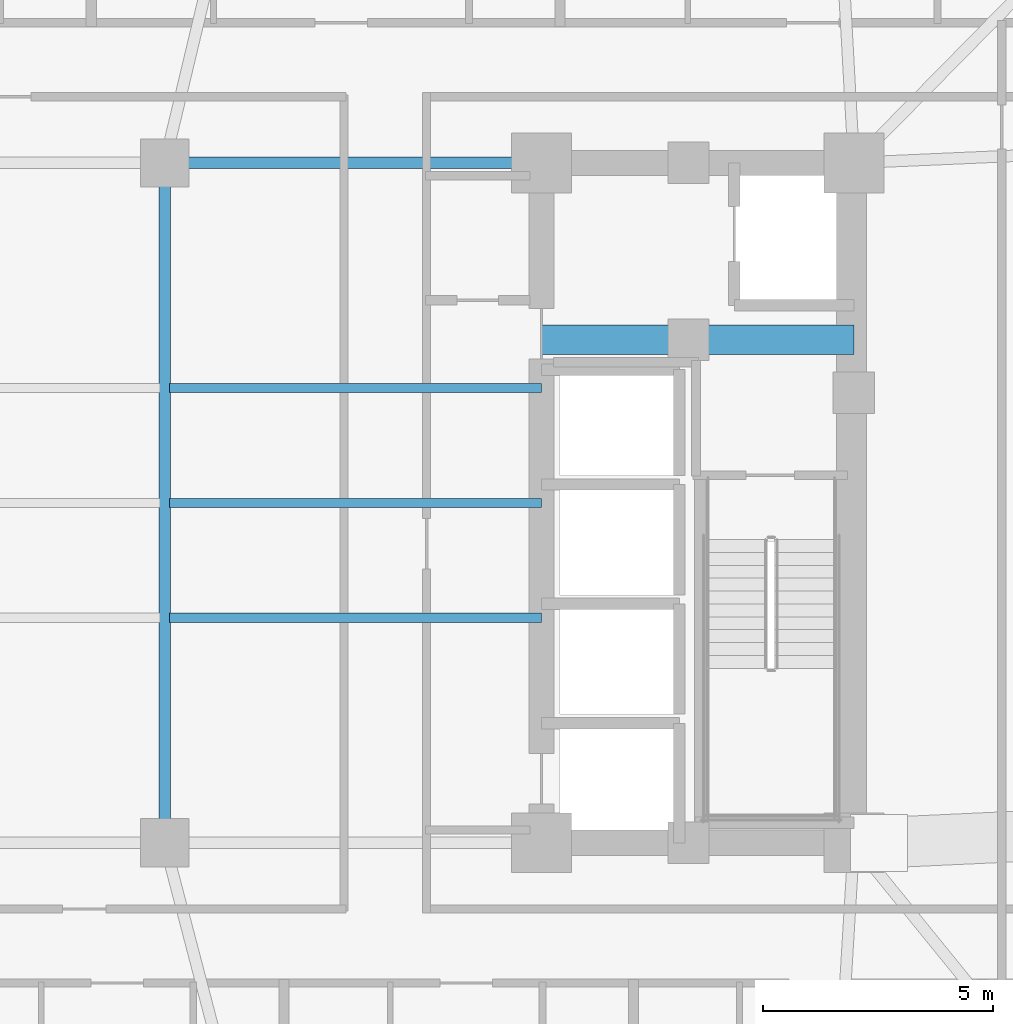
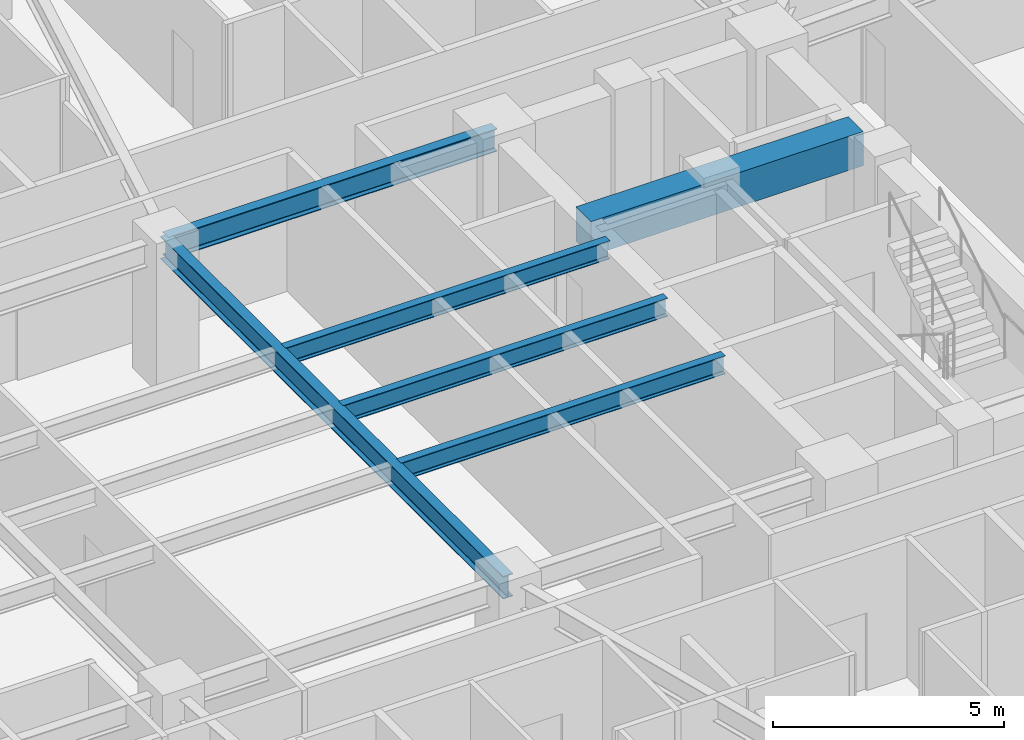
# One storey, part 3 of 16: 6 beams.
"""IFC4 building model written with IfcOpenShell, lengths in metres."""

from ifc_helpers import new_model, si_unit, direction, frame, origin, origin_2d, place, context, subcontext, project, spatial, rectangle, i_section, extrude, material, material_profile, profile_set, type_object, element, save


model = new_model("IFC4")

# Units and contexts
model_context = context("Model", 3, precision=1e-05, world=origin(), true_north=direction((0.0, 1.0)))
body_context = subcontext(model_context, "Body", "Model", "MODEL_VIEW")
ifc_project = project(units=[si_unit("LENGTHUNIT", "METRE"), si_unit("AREAUNIT", "SQUARE_METRE"), si_unit("VOLUMEUNIT", "CUBIC_METRE"), si_unit("PLANEANGLEUNIT", "RADIAN"), si_unit("MASSUNIT", "GRAM", prefix="KILO")], contexts=[model_context])

# Site, building, storey
site_placement = place(None, origin())
site = spatial("IfcSite", under=ifc_project, at=site_placement, CompositionType="ELEMENT")
building_placement = place(site_placement, origin())
building = spatial("IfcBuilding", under=site, at=building_placement, Name="Voryun Gate Residences", CompositionType="ELEMENT")
storey_placement = place(building_placement, frame((0.0, 0.0, 93.60009765625)))
storey = spatial("IfcBuildingStorey", under=building, at=storey_placement, Name="L22", CompositionType="ELEMENT", Elevation=93.60009765625)

# Beams
ifc_material_1 = material(Name="Concrete C60/75", Category="concrete")
ifc_material_profile_1 = material_profile(ifc_material_1, rectangle(XDim=0.64990234375, YDim=0.89990234375, at=origin_2d()), Name="RC-650x900")
ifc_profile_set_1 = profile_set([ifc_material_profile_1], Name="Concrete C60/75")
beam_type_1 = type_object("IfcBeamType", Name="BM_COUP_RC900", PredefinedType="LINTEL", material=ifc_profile_set_1)
beam_1_placement = place(storey_placement, frame((12.39990234375, 3.550048828125, 3.199951171875), z_axis=(1.0, 0.0, 0.0), x_axis=(0.0, 1.0, 0.0)))
element("IfcBeam", 1, at=beam_1_placement, inside=storey, type_object=beam_type_1, Name="BM-L22-EC1", PredefinedType="LINTEL", context=body_context, shape_type="SweptSolid", body=[
    extrude(rectangle(XDim=0.64990234375, YDim=0.89990234375, at=origin_2d()), origin(), (0.0, 0.0, 1.0), 6.800048828125),
])
ifc_material_2 = material(Name="Steel SM355", Category="steel")
ifc_material_profile_2 = material_profile(ifc_material_2, i_section(OverallWidth=0.25, OverallDepth=0.60009765625, WebThickness=0.011962890625, FlangeThickness=0.02197265625, FilletRadius=0.01806640625, at=origin_2d()), Name="H-600x250x12x22")
ifc_profile_set_2 = profile_set([ifc_material_profile_2], Name="Steel SM355")
beam_type_2 = type_object("IfcBeamType", Name="BM_GIRD_600", PredefinedType="USERDEFINED", material=ifc_profile_set_2)
beam_2_placement = place(storey_placement, frame((4.199951171875, 7.39990234375, 3.349853515625), z_axis=(1.0, 0.0, 0.0), x_axis=(0.0, 1.0, 0.0)))
element("IfcBeam", 2, at=beam_2_placement, inside=storey, type_object=beam_type_2, Name="BM-L22-SPG3-N", ObjectType="GIRDER", PredefinedType="USERDEFINED", context=body_context, shape_type="SweptSolid", body=[
    extrude(i_section(OverallWidth=0.25, OverallDepth=0.60009765625, WebThickness=0.011962890625, FlangeThickness=0.02197265625, FilletRadius=0.01806640625, at=origin_2d()), origin(), (0.0, 0.0, 1.0), 8.199951171875),
])
beam_3_placement = place(storey_placement, frame((4.199951171875, -7.39990234375, 3.349853515625), z_axis=(0.0, 1.0, 0.0), x_axis=(-1.0, 0.0, 0.0)))
element("IfcBeam", 3, at=beam_3_placement, inside=storey, type_object=beam_type_2, Name="BM-L22-SPX-E", ObjectType="GIRDER", PredefinedType="USERDEFINED", context=body_context, shape_type="SweptSolid", body=[
    extrude(i_section(OverallWidth=0.25, OverallDepth=0.60009765625, WebThickness=0.011962890625, FlangeThickness=0.02197265625, FilletRadius=0.01806640625, at=origin_2d()), origin(), (0.0, 0.0, 1.0), 14.7998046875),
])
ifc_material_3 = material(Name="Steel SM355", Category="steel")
ifc_material_profile_3 = material_profile(ifc_material_3, i_section(OverallWidth=0.199951171875, OverallDepth=0.47998046875, WebThickness=0.010009765625, FlangeThickness=0.01806640625, FilletRadius=0.01806640625, at=origin_2d()), Name="H-480x200x10x18")
ifc_profile_set_3 = profile_set([ifc_material_profile_3], Name="Steel SM355")
beam_type_3 = type_object("IfcBeamType", Name="BM_SEC_480", PredefinedType="BEAM", material=ifc_profile_set_3)
for number, where, z_axis, x_axis, name in (
    (4, (4.300048828125, -2.5, 3.409912109375), (1.0, 0.0, 0.0), (0.0, 1.0, 0.0), "BM-L22-SEC-CS3"),
    (5, (4.300048828125, 0.0, 3.409912109375), (1.0, 0.0, 0.0), (0.0, 1.0, 0.0), "BM-L22-SEC-CM3"),
    (6, (4.300048828125, 2.5, 3.409912109375), (1.0, 0.0, 0.0), (0.0, 1.0, 0.0), "BM-L22-SEC-CN3"),
):
    element("IfcBeam", number, at=place(storey_placement, frame(where, z_axis=z_axis, x_axis=x_axis)), inside=storey, type_object=beam_type_3, Name=name, PredefinedType="BEAM", context=body_context, shape_type="SweptSolid", body=[
        extrude(i_section(OverallWidth=0.199951171875, OverallDepth=0.47998046875, WebThickness=0.010009765625, FlangeThickness=0.01806640625, FilletRadius=0.01806640625, at=origin_2d()), origin(), (0.0, 0.0, 1.0), 8.099853515625),
    ])

save(model, "model.ifc")
